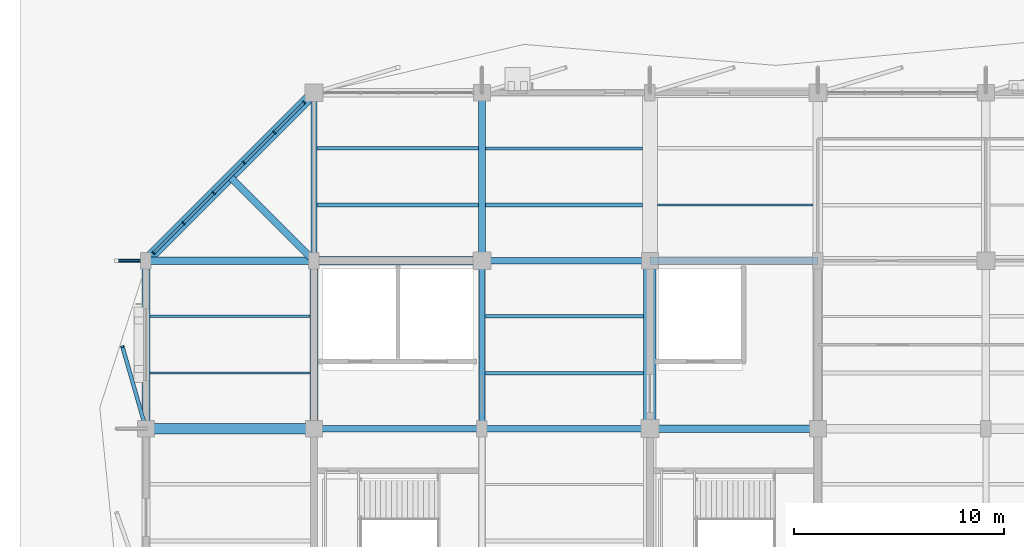
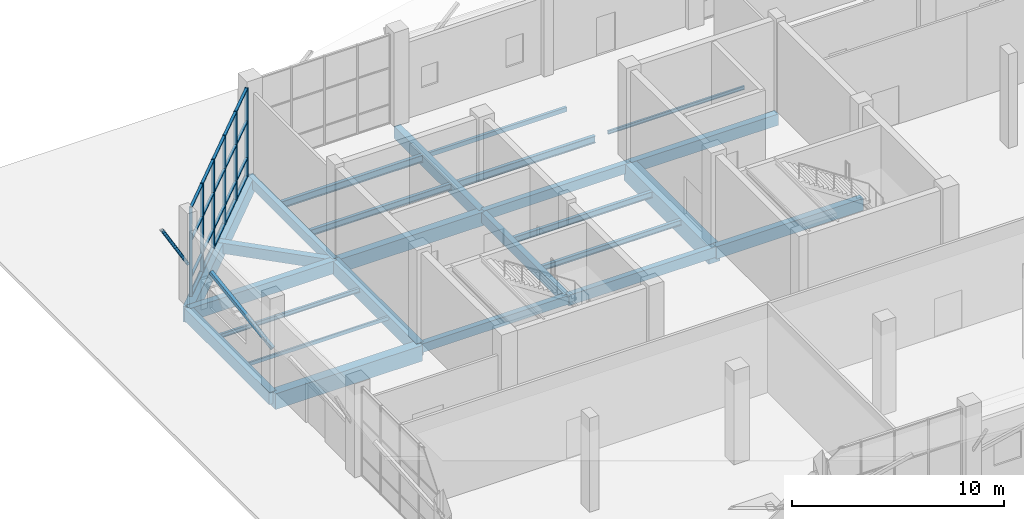
# One storey, part 39 of 123: 28 members, 25 beams, 1 element without a shape of its own.
"""IFC4 building model written with IfcOpenShell, lengths in metres."""

from ifc_helpers import new_model, si_unit, direction, frame, origin, origin_2d, place, context, subcontext, project, spatial, rectangle, hollow_rectangle, hollow_circle, i_section, extrude, material, material_profile, profile_set, type_object, element, aggregate, save


model = new_model("IFC4")

# Units and contexts
model_context = context("Model", 3, precision=1e-05, world=origin(), true_north=direction((0.0, 1.0)))
body_context = subcontext(model_context, "Body", "Model", "MODEL_VIEW")
ifc_project = project(units=[si_unit("LENGTHUNIT", "METRE"), si_unit("AREAUNIT", "SQUARE_METRE"), si_unit("VOLUMEUNIT", "CUBIC_METRE"), si_unit("PLANEANGLEUNIT", "RADIAN"), si_unit("MASSUNIT", "GRAM", prefix="KILO")], contexts=[model_context])

# Site, building, storey
site_placement = place(None, origin())
site = spatial("IfcSite", under=ifc_project, at=site_placement, CompositionType="ELEMENT")
building_placement = place(site_placement, origin())
building = spatial("IfcBuilding", under=site, at=building_placement, Name="Tenunan Teduh Sports Hall", CompositionType="ELEMENT")
storey_placement = place(building_placement, origin())
storey = spatial("IfcBuildingStorey", under=building, at=storey_placement, Name="L00", CompositionType="ELEMENT", Elevation=0.0)

# Beams
ifc_material_1 = material(Name="Concrete C40/50", Category="concrete")
ifc_material_profile_1 = material_profile(ifc_material_1, rectangle(XDim=0.300048828125, YDim=0.5, at=origin_2d()), Name="RCB 300x500")
ifc_profile_set_1 = profile_set([ifc_material_profile_1], Name="Concrete C40/50")
beam_type_1 = type_object("IfcBeamType", Name="BM-RC-300x500", PredefinedType="BEAM", material=ifc_profile_set_1)
beam_1_placement = place(storey_placement, frame((14.0, 102.0, -0.530029296875), z_axis=(1.0, 0.0, 0.0), x_axis=(0.0, 1.0, 0.0)))
element("IfcBeam", 1, at=beam_1_placement, inside=storey, type_object=beam_type_1, Name="BM-B-01-L00-0717", PredefinedType="BEAM", context=body_context, shape_type="SweptSolid", body=[
    extrude(rectangle(XDim=0.300048828125, YDim=0.5, at=origin_2d()), origin(), (0.0, 0.0, 1.0), 8.0),
])
ifc_material_2 = material(Name="Concrete C40/50", Category="concrete")
ifc_material_profile_2 = material_profile(ifc_material_2, rectangle(XDim=0.300048828125, YDim=0.550048828125, at=origin_2d()), Name="RCB 300x550")
ifc_profile_set_2 = profile_set([ifc_material_profile_2], Name="Concrete C40/50")
beam_type_2 = type_object("IfcBeamType", Name="BM-RC-300x550", PredefinedType="BEAM", material=ifc_profile_set_2)
for number, where, z_axis, x_axis, name in (
    (2, (22.0, 110.0, -0.554931640625), (1.0, 0.0, 0.0), (0.0, 1.0, 0.0), "BM-B-02-L00-0735"),
    (3, (14.0, 110.0, -0.554931640625), (0.0, 1.0, 0.0), (-1.0, 0.0, 0.0), "BM-B-02-L00-0776"),
):
    element("IfcBeam", number, at=place(storey_placement, frame(where, z_axis=z_axis, x_axis=x_axis)), inside=storey, type_object=beam_type_2, Name=name, PredefinedType="BEAM", context=body_context, shape_type="SweptSolid", body=[
        extrude(rectangle(XDim=0.300048828125, YDim=0.550048828125, at=origin_2d()), origin(), (0.0, 0.0, 1.0), 8.0),
    ])
ifc_material_3 = material(Name="Concrete C40/50", Category="concrete")
ifc_material_profile_3 = material_profile(ifc_material_3, rectangle(XDim=0.300048828125, YDim=0.60009765625, at=origin_2d()), Name="RCB 300x600")
ifc_profile_set_3 = profile_set([ifc_material_profile_3], Name="Concrete C40/50")
beam_type_3 = type_object("IfcBeamType", Name="BM-RC-300x600", PredefinedType="BEAM", material=ifc_profile_set_3)
for number, where, z_axis, x_axis, name in (
    (4, (22.0, 102.0, -0.580078125), (1.0, 0.0, 0.0), (0.0, 1.0, 0.0), "BM-B-03-L00-0718"),
    (5, (22.0, 102.0, -0.580078125), (0.0, 1.0, 0.0), (-1.0, 0.0, 0.0), "BM-B-03-L00-0781"),
):
    element("IfcBeam", number, at=place(storey_placement, frame(where, z_axis=z_axis, x_axis=x_axis)), inside=storey, type_object=beam_type_3, Name=name, PredefinedType="BEAM", context=body_context, shape_type="SweptSolid", body=[
        extrude(rectangle(XDim=0.300048828125, YDim=0.60009765625, at=origin_2d()), origin(), (0.0, 0.0, 1.0), 8.0),
    ])
ifc_material_4 = material(Name="Concrete C40/50", Category="concrete")
ifc_material_profile_4 = material_profile(ifc_material_4, rectangle(XDim=0.35009765625, YDim=0.60009765625, at=origin_2d()), Name="RCB 350x600")
ifc_profile_set_4 = profile_set([ifc_material_profile_4], Name="Concrete C40/50")
beam_type_4 = type_object("IfcBeamType", Name="BM-RC-350x600", PredefinedType="BEAM", material=ifc_profile_set_4)
beam_2_placement = place(storey_placement, frame((14.0, 110.0, -0.580078125), z_axis=(-0.707106781187, 0.707106781187, 0.0), x_axis=(-0.707106781187, -0.707106781187, 0.0)))
element("IfcBeam", 6, at=beam_2_placement, inside=storey, type_object=beam_type_4, Name="BM-B-04-L00-2222", PredefinedType="BEAM", context=body_context, shape_type="SweptSolid", body=[
    extrude(rectangle(XDim=0.35009765625, YDim=0.60009765625, at=origin_2d()), origin(), (0.0, 0.0, 1.0), 5.65673828125),
])
ifc_material_5 = material(Name="Concrete C40/50", Category="concrete")
ifc_material_profile_5 = material_profile(ifc_material_5, rectangle(XDim=0.35009765625, YDim=0.64990234375, at=origin_2d()), Name="RCB 350x650")
ifc_profile_set_5 = profile_set([ifc_material_profile_5], Name="Concrete C40/50")
beam_type_5 = type_object("IfcBeamType", Name="BM-RC-350x650", PredefinedType="BEAM", material=ifc_profile_set_5)
beam_3_placement = place(storey_placement, frame((30.0, 110.0, -0.60498046875), z_axis=(1.0, 0.0, 0.0), x_axis=(0.0, 1.0, 0.0)))
element("IfcBeam", 7, at=beam_3_placement, inside=storey, type_object=beam_type_5, Name="BM-B-05-L00-0736", PredefinedType="BEAM", context=body_context, shape_type="SweptSolid", body=[
    extrude(rectangle(XDim=0.35009765625, YDim=0.64990234375, at=origin_2d()), origin(), (0.0, 0.0, 1.0), 8.0),
])
ifc_material_6 = material(Name="Concrete C40/50", Category="concrete")
ifc_material_profile_6 = material_profile(ifc_material_6, rectangle(XDim=0.35009765625, YDim=0.699951171875, at=origin_2d()), Name="RCB 350x700")
ifc_profile_set_6 = profile_set([ifc_material_profile_6], Name="Concrete C40/50")
beam_type_6 = type_object("IfcBeamType", Name="BM-RC-350x700", PredefinedType="BEAM", material=ifc_profile_set_6)
for number, where, z_axis, x_axis, name in (
    (8, (30.0, 102.0, -0.6298828125), (1.0, 0.0, 0.0), (0.0, 1.0, 0.0), "BM-B-06-L00-0719"),
    (9, (22.0, 110.0, -0.6298828125), (0.0, 1.0, 0.0), (-1.0, 0.0, 0.0), "BM-B-06-L00-0782"),
):
    element("IfcBeam", number, at=place(storey_placement, frame(where, z_axis=z_axis, x_axis=x_axis)), inside=storey, type_object=beam_type_6, Name=name, PredefinedType="BEAM", context=body_context, shape_type="SweptSolid", body=[
        extrude(rectangle(XDim=0.35009765625, YDim=0.699951171875, at=origin_2d()), origin(), (0.0, 0.0, 1.0), 8.0),
    ])
ifc_material_7 = material(Name="Concrete C40/50", Category="concrete")
ifc_material_profile_7 = material_profile(ifc_material_7, rectangle(XDim=0.39990234375, YDim=0.699951171875, at=origin_2d()), Name="RCB 400x700")
ifc_profile_set_7 = profile_set([ifc_material_profile_7], Name="Concrete C40/50")
beam_type_7 = type_object("IfcBeamType", Name="BM-RC-400x700", PredefinedType="BEAM", material=ifc_profile_set_7)
beam_4_placement = place(storey_placement, frame((6.0, 102.0, -0.6298828125), z_axis=(0.0, 1.0, 0.0), x_axis=(-1.0, 0.0, 0.0)))
element("IfcBeam", 10, at=beam_4_placement, inside=storey, type_object=beam_type_7, Name="BM-B-08-L00-0770", PredefinedType="BEAM", context=body_context, shape_type="SweptSolid", body=[
    extrude(rectangle(XDim=0.39990234375, YDim=0.699951171875, at=origin_2d()), origin(), (0.0, 0.0, 1.0), 8.0),
])
ifc_material_8 = material(Name="Concrete C40/50", Category="concrete")
ifc_material_profile_8 = material_profile(ifc_material_8, rectangle(XDim=0.5, YDim=0.89990234375, at=origin_2d()), Name="RCB 500x900")
ifc_profile_set_8 = profile_set([ifc_material_profile_8], Name="Concrete C40/50")
beam_type_8 = type_object("IfcBeamType", Name="BM-RC-500x900", PredefinedType="BEAM", material=ifc_profile_set_8)
beam_5_placement = place(storey_placement, frame((6.0, 110.0, -0.72998046875), z_axis=(0.707106781187, 0.707106781187, 0.0), x_axis=(-0.707106781187, 0.707106781187, 0.0)))
element("IfcBeam", 11, at=beam_5_placement, inside=storey, type_object=beam_type_8, Name="BM-B-15-L00-0587", PredefinedType="BEAM", context=body_context, shape_type="SweptSolid", body=[
    extrude(rectangle(XDim=0.5, YDim=0.89990234375, at=origin_2d()), origin(), (0.0, 0.0, 1.0), 11.313720703125),
])
beam_6_placement = place(storey_placement, frame((6.0, 102.0, -0.72998046875), z_axis=(1.0, 0.0, 0.0), x_axis=(0.0, 1.0, 0.0)))
element("IfcBeam", 12, at=beam_6_placement, inside=storey, type_object=beam_type_8, Name="BM-B-15-L00-0716", PredefinedType="BEAM", context=body_context, shape_type="SweptSolid", body=[
    extrude(rectangle(XDim=0.5, YDim=0.89990234375, at=origin_2d()), origin(), (0.0, 0.0, 1.0), 8.0),
])
ifc_material_9 = material(Name="Concrete C40/50", Category="concrete")
ifc_material_profile_9 = material_profile(ifc_material_9, rectangle(XDim=0.60009765625, YDim=1.0, at=origin_2d()), Name="RCB 600x1000")
ifc_profile_set_9 = profile_set([ifc_material_profile_9], Name="Concrete C40/50")
beam_type_9 = type_object("IfcBeamType", Name="BM-RC-600x1000", PredefinedType="BEAM", material=ifc_profile_set_9)
beam_7_placement = place(storey_placement, frame((30.0, 102.0, -0.780029296875), z_axis=(0.0, 1.0, 0.0), x_axis=(-1.0, 0.0, 0.0)))
element("IfcBeam", 13, at=beam_7_placement, inside=storey, type_object=beam_type_9, Name="BM-B-18-L00-0787", PredefinedType="BEAM", context=body_context, shape_type="SweptSolid", body=[
    extrude(rectangle(XDim=0.60009765625, YDim=1.0, at=origin_2d()), origin(), (0.0, 0.0, 1.0), 8.0),
])
ifc_material_10 = material(Name="Concrete C40/50", Category="concrete")
ifc_material_profile_10 = material_profile(ifc_material_10, rectangle(XDim=0.35009765625, YDim=0.719970703125, at=origin_2d()), Name="TB 350x720")
ifc_profile_set_10 = profile_set([ifc_material_profile_10], Name="Concrete C40/50")
beam_type_10 = type_object("IfcBeamType", Name="BM-TB-350x720", PredefinedType="T_BEAM", material=ifc_profile_set_10)
beam_8_placement = place(storey_placement, frame((6.0, 110.0, -0.639892578125), z_axis=(1.0, 0.0, 0.0), x_axis=(0.0, 1.0, 0.0)))
element("IfcBeam", 14, at=beam_8_placement, inside=storey, type_object=beam_type_10, Name="BM-TB-01-L00-0733", PredefinedType="T_BEAM", context=body_context, shape_type="SweptSolid", body=[
    extrude(rectangle(XDim=0.35009765625, YDim=0.719970703125, at=origin_2d()), origin(), (0.0, 0.0, 1.0), 8.0),
])
ifc_material_11 = material(Name="Concrete C40/50", Category="concrete")
ifc_material_profile_11 = material_profile(ifc_material_11, rectangle(XDim=0.39990234375, YDim=0.780029296875, at=origin_2d()), Name="TB 400x780")
ifc_profile_set_11 = profile_set([ifc_material_profile_11], Name="Concrete C40/50")
beam_type_11 = type_object("IfcBeamType", Name="BM-TB-400x780", PredefinedType="T_BEAM", material=ifc_profile_set_11)
for number, where, z_axis, x_axis, name in (
    (15, (14.0, 110.0, -0.669921875), (1.0, 0.0, 0.0), (0.0, 1.0, 0.0), "BM-TB-02-L00-0734"),
    (16, (14.0, 102.0, -0.669921875), (0.0, 1.0, 0.0), (-1.0, 0.0, 0.0), "BM-TB-02-L00-0775"),
):
    element("IfcBeam", number, at=place(storey_placement, frame(where, z_axis=z_axis, x_axis=x_axis)), inside=storey, type_object=beam_type_11, Name=name, PredefinedType="T_BEAM", context=body_context, shape_type="SweptSolid", body=[
        extrude(rectangle(XDim=0.39990234375, YDim=0.780029296875, at=origin_2d()), origin(), (0.0, 0.0, 1.0), 8.0),
    ])

# Curtain wall, members
ifc_material_12 = material(Name="Anodised aluminium", Category="aluminium")
curtain_wall_type = type_object("IfcCurtainWallType", Name="CW-UNIT-1", PredefinedType="NOTDEFINED", material=ifc_material_12)
curtain_wall_placement = place(storey_placement, origin())
curtain_wall = element("IfcCurtainWall", 17, at=curtain_wall_placement, inside=storey, type_object=curtain_wall_type, Name="CW-CWM-175-L00-198", PredefinedType="NOTDEFINED")
ifc_material_13 = material(Name="Anodised aluminium", Category="aluminium")
ifc_material_profile_12 = material_profile(ifc_material_13, rectangle(XDim=0.06494140625, YDim=0.175048828125, at=origin_2d()), Name="CWM 65x175")
ifc_profile_set_12 = profile_set([ifc_material_profile_12], Name="Anodised aluminium")
member_type_1 = type_object("IfcMemberType", Name="CWM-175", PredefinedType="MULLION", material=ifc_profile_set_12)
member_1_placement = place(storey_placement, frame((6.3642578125, 110.3642578125, 0.0), z_axis=(0.0, 0.0, 1.0), x_axis=(0.707116654191, 0.707096908044, 0.0)))
member_1 = element("IfcMember", 18, at=member_1_placement, type_object=member_type_1, Name="CW-01 mullion 1", PredefinedType="MULLION", context=body_context, shape_type="SweptSolid", body=[
    extrude(rectangle(XDim=0.06494140625, YDim=0.175048828125, at=origin_2d()), origin(), (0.0, 0.0, 1.0), 5.1201171875),
])
member_2_placement = place(storey_placement, frame((7.78369140625, 111.78369140625, 0.0), z_axis=(0.0, 0.0, 1.0), x_axis=(0.707116654191, 0.707096908044, 0.0)))
member_2 = element("IfcMember", 19, at=member_2_placement, type_object=member_type_1, Name="CW-01 mullion 2", PredefinedType="MULLION", context=body_context, shape_type="SweptSolid", body=[
    extrude(rectangle(XDim=0.06494140625, YDim=0.175048828125, at=origin_2d()), origin(), (0.0, 0.0, 1.0), 5.1201171875),
])
member_3_placement = place(storey_placement, frame((9.226318359375, 113.226318359375, 0.0), z_axis=(0.0, 0.0, 1.0), x_axis=(0.707116654191, 0.707096908044, 0.0)))
member_3 = element("IfcMember", 20, at=member_3_placement, type_object=member_type_1, Name="CW-01 mullion 3", PredefinedType="MULLION", context=body_context, shape_type="SweptSolid", body=[
    extrude(rectangle(XDim=0.06494140625, YDim=0.175048828125, at=origin_2d()), origin(), (0.0, 0.0, 1.0), 5.1201171875),
])
member_4_placement = place(storey_placement, frame((10.668701171875, 114.668701171875, 0.0), z_axis=(0.0, 0.0, 1.0), x_axis=(0.707116654191, 0.707096908044, 0.0)))
member_4 = element("IfcMember", 21, at=member_4_placement, type_object=member_type_1, Name="CW-01 mullion 4", PredefinedType="MULLION", context=body_context, shape_type="SweptSolid", body=[
    extrude(rectangle(XDim=0.06494140625, YDim=0.175048828125, at=origin_2d()), origin(), (0.0, 0.0, 1.0), 5.1201171875),
])
member_5_placement = place(storey_placement, frame((12.111328125, 116.111328125, 0.0), z_axis=(0.0, 0.0, 1.0), x_axis=(0.707116654191, 0.707096908044, 0.0)))
member_5 = element("IfcMember", 22, at=member_5_placement, type_object=member_type_1, Name="CW-01 mullion 5", PredefinedType="MULLION", context=body_context, shape_type="SweptSolid", body=[
    extrude(rectangle(XDim=0.06494140625, YDim=0.175048828125, at=origin_2d()), origin(), (0.0, 0.0, 1.0), 5.1201171875),
])
member_6_placement = place(storey_placement, frame((13.53076171875, 117.53076171875, 0.0), z_axis=(0.0, 0.0, 1.0), x_axis=(0.707116654191, 0.707096908044, 0.0)))
member_6 = element("IfcMember", 23, at=member_6_placement, type_object=member_type_1, Name="CW-01 mullion 6", PredefinedType="MULLION", context=body_context, shape_type="SweptSolid", body=[
    extrude(rectangle(XDim=0.06494140625, YDim=0.175048828125, at=origin_2d()), origin(), (0.0, 0.0, 1.0), 5.1201171875),
])
ifc_material_14 = material(Name="Anodised aluminium", Category="aluminium")
ifc_material_profile_13 = material_profile(ifc_material_14, rectangle(XDim=0.06494140625, YDim=0.139892578125, at=origin_2d()), Name="CWT 65x140")
ifc_profile_set_13 = profile_set([ifc_material_profile_13], Name="Anodised aluminium")
member_type_2 = type_object("IfcMemberType", Name="CWT-150", PredefinedType="USERDEFINED", material=ifc_profile_set_13)
member_7_placement = place(storey_placement, frame((6.38720703125, 110.38720703125, 0.032470703125), z_axis=(0.707106781187, 0.707106781187, 0.0), x_axis=(0.0, 0.0, 1.0)))
member_7 = element("IfcMember", 24, at=member_7_placement, type_object=member_type_2, Name="CW-01 transom 1.1", ObjectType="TRANSOM", PredefinedType="USERDEFINED", context=body_context, shape_type="SweptSolid", body=[
    extrude(rectangle(XDim=0.06494140625, YDim=0.139892578125, at=origin_2d()), origin(), (0.0, 0.0, 1.0), 1.9423828125),
])
member_8_placement = place(storey_placement, frame((6.38720703125, 110.38720703125, 1.10009765625), z_axis=(0.707106781187, 0.707106781187, 0.0), x_axis=(0.0, 0.0, 1.0)))
member_8 = element("IfcMember", 25, at=member_8_placement, type_object=member_type_2, Name="CW-01 transom 1.2", ObjectType="TRANSOM", PredefinedType="USERDEFINED", context=body_context, shape_type="SweptSolid", body=[
    extrude(rectangle(XDim=0.06494140625, YDim=0.139892578125, at=origin_2d()), origin(), (0.0, 0.0, 1.0), 1.9423828125),
])
member_9_placement = place(storey_placement, frame((6.38720703125, 110.38720703125, 3.199951171875), z_axis=(0.707106781187, 0.707106781187, 0.0), x_axis=(0.0, 0.0, 1.0)))
member_9 = element("IfcMember", 26, at=member_9_placement, type_object=member_type_2, Name="CW-01 transom 1.3", ObjectType="TRANSOM", PredefinedType="USERDEFINED", context=body_context, shape_type="SweptSolid", body=[
    extrude(rectangle(XDim=0.06494140625, YDim=0.139892578125, at=origin_2d()), origin(), (0.0, 0.0, 1.0), 1.9423828125),
])
member_10_placement = place(storey_placement, frame((6.38720703125, 110.38720703125, 5.08740234375), z_axis=(0.707106781187, 0.707106781187, 0.0), x_axis=(0.0, 0.0, 1.0)))
member_10 = element("IfcMember", 27, at=member_10_placement, type_object=member_type_2, Name="CW-01 transom 1.4", ObjectType="TRANSOM", PredefinedType="USERDEFINED", context=body_context, shape_type="SweptSolid", body=[
    extrude(rectangle(XDim=0.06494140625, YDim=0.139892578125, at=origin_2d()), origin(), (0.0, 0.0, 1.0), 1.9423828125),
])
member_11_placement = place(storey_placement, frame((7.806640625, 111.806640625, 0.032470703125), z_axis=(0.707106781187, 0.707106781187, 0.0), x_axis=(0.0, 0.0, 1.0)))
member_11 = element("IfcMember", 28, at=member_11_placement, type_object=member_type_2, Name="CW-01 transom 2.1", ObjectType="TRANSOM", PredefinedType="USERDEFINED", context=body_context, shape_type="SweptSolid", body=[
    extrude(rectangle(XDim=0.06494140625, YDim=0.139892578125, at=origin_2d()), origin(), (0.0, 0.0, 1.0), 1.975341796875),
])
member_12_placement = place(storey_placement, frame((7.806640625, 111.806640625, 1.10009765625), z_axis=(0.707106781187, 0.707106781187, 0.0), x_axis=(0.0, 0.0, 1.0)))
member_12 = element("IfcMember", 29, at=member_12_placement, type_object=member_type_2, Name="CW-01 transom 2.2", ObjectType="TRANSOM", PredefinedType="USERDEFINED", context=body_context, shape_type="SweptSolid", body=[
    extrude(rectangle(XDim=0.06494140625, YDim=0.139892578125, at=origin_2d()), origin(), (0.0, 0.0, 1.0), 1.975341796875),
])
member_13_placement = place(storey_placement, frame((7.806640625, 111.806640625, 3.199951171875), z_axis=(0.707106781187, 0.707106781187, 0.0), x_axis=(0.0, 0.0, 1.0)))
member_13 = element("IfcMember", 30, at=member_13_placement, type_object=member_type_2, Name="CW-01 transom 2.3", ObjectType="TRANSOM", PredefinedType="USERDEFINED", context=body_context, shape_type="SweptSolid", body=[
    extrude(rectangle(XDim=0.06494140625, YDim=0.139892578125, at=origin_2d()), origin(), (0.0, 0.0, 1.0), 1.975341796875),
])
member_14_placement = place(storey_placement, frame((7.806640625, 111.806640625, 5.08740234375), z_axis=(0.707106781187, 0.707106781187, 0.0), x_axis=(0.0, 0.0, 1.0)))
member_14 = element("IfcMember", 31, at=member_14_placement, type_object=member_type_2, Name="CW-01 transom 2.4", ObjectType="TRANSOM", PredefinedType="USERDEFINED", context=body_context, shape_type="SweptSolid", body=[
    extrude(rectangle(XDim=0.06494140625, YDim=0.139892578125, at=origin_2d()), origin(), (0.0, 0.0, 1.0), 1.975341796875),
])
member_15_placement = place(storey_placement, frame((9.249267578125, 113.249267578125, 0.032470703125), z_axis=(0.707106781187, 0.707106781187, 0.0), x_axis=(0.0, 0.0, 1.0)))
member_15 = element("IfcMember", 32, at=member_15_placement, type_object=member_type_2, Name="CW-01 transom 3.1", ObjectType="TRANSOM", PredefinedType="USERDEFINED", context=body_context, shape_type="SweptSolid", body=[
    extrude(rectangle(XDim=0.06494140625, YDim=0.139892578125, at=origin_2d()), origin(), (0.0, 0.0, 1.0), 1.974853515625),
])
member_16_placement = place(storey_placement, frame((9.249267578125, 113.249267578125, 1.10009765625), z_axis=(0.707106781187, 0.707106781187, 0.0), x_axis=(0.0, 0.0, 1.0)))
member_16 = element("IfcMember", 33, at=member_16_placement, type_object=member_type_2, Name="CW-01 transom 3.2", ObjectType="TRANSOM", PredefinedType="USERDEFINED", context=body_context, shape_type="SweptSolid", body=[
    extrude(rectangle(XDim=0.06494140625, YDim=0.139892578125, at=origin_2d()), origin(), (0.0, 0.0, 1.0), 1.974853515625),
])
member_17_placement = place(storey_placement, frame((9.249267578125, 113.249267578125, 3.199951171875), z_axis=(0.707106781187, 0.707106781187, 0.0), x_axis=(0.0, 0.0, 1.0)))
member_17 = element("IfcMember", 34, at=member_17_placement, type_object=member_type_2, Name="CW-01 transom 3.3", ObjectType="TRANSOM", PredefinedType="USERDEFINED", context=body_context, shape_type="SweptSolid", body=[
    extrude(rectangle(XDim=0.06494140625, YDim=0.139892578125, at=origin_2d()), origin(), (0.0, 0.0, 1.0), 1.974853515625),
])
member_18_placement = place(storey_placement, frame((9.249267578125, 113.249267578125, 5.08740234375), z_axis=(0.707106781187, 0.707106781187, 0.0), x_axis=(0.0, 0.0, 1.0)))
member_18 = element("IfcMember", 35, at=member_18_placement, type_object=member_type_2, Name="CW-01 transom 3.4", ObjectType="TRANSOM", PredefinedType="USERDEFINED", context=body_context, shape_type="SweptSolid", body=[
    extrude(rectangle(XDim=0.06494140625, YDim=0.139892578125, at=origin_2d()), origin(), (0.0, 0.0, 1.0), 1.974853515625),
])
member_19_placement = place(storey_placement, frame((10.691650390625, 114.691650390625, 0.032470703125), z_axis=(0.707168583116, 0.707044973855, 0.0), x_axis=(0.0, 0.0, 1.0)))
member_19 = element("IfcMember", 36, at=member_19_placement, type_object=member_type_2, Name="CW-01 transom 4.1", ObjectType="TRANSOM", PredefinedType="USERDEFINED", context=body_context, shape_type="SweptSolid", body=[
    extrude(rectangle(XDim=0.06494140625, YDim=0.139892578125, at=origin_2d()), origin(), (0.0, 0.0, 1.0), 1.97509765625),
])
member_20_placement = place(storey_placement, frame((10.691650390625, 114.691650390625, 1.10009765625), z_axis=(0.707168583116, 0.707044973855, 0.0), x_axis=(0.0, 0.0, 1.0)))
member_20 = element("IfcMember", 37, at=member_20_placement, type_object=member_type_2, Name="CW-01 transom 4.2", ObjectType="TRANSOM", PredefinedType="USERDEFINED", context=body_context, shape_type="SweptSolid", body=[
    extrude(rectangle(XDim=0.06494140625, YDim=0.139892578125, at=origin_2d()), origin(), (0.0, 0.0, 1.0), 1.97509765625),
])
member_21_placement = place(storey_placement, frame((10.691650390625, 114.691650390625, 3.199951171875), z_axis=(0.707168583116, 0.707044973855, 0.0), x_axis=(0.0, 0.0, 1.0)))
member_21 = element("IfcMember", 38, at=member_21_placement, type_object=member_type_2, Name="CW-01 transom 4.3", ObjectType="TRANSOM", PredefinedType="USERDEFINED", context=body_context, shape_type="SweptSolid", body=[
    extrude(rectangle(XDim=0.06494140625, YDim=0.139892578125, at=origin_2d()), origin(), (0.0, 0.0, 1.0), 1.97509765625),
])
member_22_placement = place(storey_placement, frame((10.691650390625, 114.691650390625, 5.08740234375), z_axis=(0.707168583116, 0.707044973855, 0.0), x_axis=(0.0, 0.0, 1.0)))
member_22 = element("IfcMember", 39, at=member_22_placement, type_object=member_type_2, Name="CW-01 transom 4.4", ObjectType="TRANSOM", PredefinedType="USERDEFINED", context=body_context, shape_type="SweptSolid", body=[
    extrude(rectangle(XDim=0.06494140625, YDim=0.139892578125, at=origin_2d()), origin(), (0.0, 0.0, 1.0), 1.97509765625),
])
member_23_placement = place(storey_placement, frame((12.13427734375, 116.13427734375, 0.032470703125), z_axis=(0.707106781187, 0.707106781187, 0.0), x_axis=(0.0, 0.0, 1.0)))
member_23 = element("IfcMember", 40, at=member_23_placement, type_object=member_type_2, Name="CW-01 transom 5.1", ObjectType="TRANSOM", PredefinedType="USERDEFINED", context=body_context, shape_type="SweptSolid", body=[
    extrude(rectangle(XDim=0.06494140625, YDim=0.139892578125, at=origin_2d()), origin(), (0.0, 0.0, 1.0), 1.9423828125),
])
member_24_placement = place(storey_placement, frame((12.13427734375, 116.13427734375, 1.10009765625), z_axis=(0.707106781187, 0.707106781187, 0.0), x_axis=(0.0, 0.0, 1.0)))
member_24 = element("IfcMember", 41, at=member_24_placement, type_object=member_type_2, Name="CW-01 transom 5.2", ObjectType="TRANSOM", PredefinedType="USERDEFINED", context=body_context, shape_type="SweptSolid", body=[
    extrude(rectangle(XDim=0.06494140625, YDim=0.139892578125, at=origin_2d()), origin(), (0.0, 0.0, 1.0), 1.9423828125),
])
member_25_placement = place(storey_placement, frame((12.13427734375, 116.13427734375, 3.199951171875), z_axis=(0.707106781187, 0.707106781187, 0.0), x_axis=(0.0, 0.0, 1.0)))
member_25 = element("IfcMember", 42, at=member_25_placement, type_object=member_type_2, Name="CW-01 transom 5.3", ObjectType="TRANSOM", PredefinedType="USERDEFINED", context=body_context, shape_type="SweptSolid", body=[
    extrude(rectangle(XDim=0.06494140625, YDim=0.139892578125, at=origin_2d()), origin(), (0.0, 0.0, 1.0), 1.9423828125),
])
member_26_placement = place(storey_placement, frame((12.13427734375, 116.13427734375, 5.08740234375), z_axis=(0.707106781187, 0.707106781187, 0.0), x_axis=(0.0, 0.0, 1.0)))
member_26 = element("IfcMember", 43, at=member_26_placement, type_object=member_type_2, Name="CW-01 transom 5.4", ObjectType="TRANSOM", PredefinedType="USERDEFINED", context=body_context, shape_type="SweptSolid", body=[
    extrude(rectangle(XDim=0.06494140625, YDim=0.139892578125, at=origin_2d()), origin(), (0.0, 0.0, 1.0), 1.9423828125),
])
aggregate(curtain_wall, [member_1, member_2, member_3, member_4, member_5, member_6, member_7, member_8, member_9, member_10, member_11, member_12, member_13, member_14, member_15, member_16, member_17, member_18, member_19, member_20, member_21, member_22, member_23, member_24, member_25, member_26])

# Beams
ifc_material_15 = material(Name="Steel S355", Category="steel")
ifc_material_profile_14 = material_profile(ifc_material_15, i_section(OverallWidth=0.10009765625, OverallDepth=0.199951171875, WebThickness=0.005615234375, FlangeThickness=0.008544921875, FilletRadius=0.011962890625, at=origin_2d()), Name="IPE 200")
ifc_profile_set_14 = profile_set([ifc_material_profile_14], Name="Steel S355")
beam_type_12 = type_object("IfcBeamType", Name="JST-IPE200", PredefinedType="JOIST", material=ifc_profile_set_14)
beam_9_placement = place(storey_placement, frame((30.35009765625, 112.64990234375, -0.3798828125), z_axis=(1.0, 0.0, 0.0), x_axis=(0.0, 1.0, 0.0)))
element("IfcBeam", 44, at=beam_9_placement, inside=storey, type_object=beam_type_12, Name="BM-J-01-L00-0930", PredefinedType="JOIST", context=body_context, shape_type="SweptSolid", body=[
    extrude(i_section(OverallWidth=0.10009765625, OverallDepth=0.199951171875, WebThickness=0.005615234375, FlangeThickness=0.008544921875, FilletRadius=0.011962890625, at=origin_2d()), origin(), (0.0, 0.0, 1.0), 7.4248046875),
])
ifc_material_16 = material(Name="Steel S355", Category="steel")
ifc_material_profile_15 = material_profile(ifc_material_16, i_section(OverallWidth=0.1201171875, OverallDepth=0.239990234375, WebThickness=0.006103515625, FlangeThickness=0.009765625, FilletRadius=0.014892578125, at=origin_2d()), Name="IPE 240")
ifc_profile_set_15 = profile_set([ifc_material_profile_15], Name="Steel S355")
beam_type_13 = type_object("IfcBeamType", Name="JST-IPE240", PredefinedType="JOIST", material=ifc_profile_set_15)
beam_10_placement = place(storey_placement, frame((6.199951171875, 107.35009765625, -0.39990234375), z_axis=(1.0, 0.0, 0.0), x_axis=(0.0, 1.0, 0.0)))
element("IfcBeam", 45, at=beam_10_placement, inside=storey, type_object=beam_type_13, Name="BM-J-02-L00-0903", PredefinedType="JOIST", context=body_context, shape_type="SweptSolid", body=[
    extrude(i_section(OverallWidth=0.1201171875, OverallDepth=0.239990234375, WebThickness=0.006103515625, FlangeThickness=0.009765625, FilletRadius=0.014892578125, at=origin_2d()), origin(), (0.0, 0.0, 1.0), 7.60009765625),
])

# Members
ifc_material_17 = material(Name="Steel S355", Category="steel")
ifc_material_profile_16 = material_profile(ifc_material_17, hollow_circle(Radius=0.084228515625, WallThickness=0.008056640625, at=origin_2d()), Name="CHS 168.3x8.0")
ifc_profile_set_16 = profile_set([ifc_material_profile_16], Name="Steel S355")
member_type_3 = type_object("IfcMemberType", Name="MEM-BR-CHS168", PredefinedType="BRACE", material=ifc_profile_set_16)
member_27_placement = place(storey_placement, frame((6.0, 110.0, 2.199951171875), z_axis=(-0.500702345696, 0.0, 0.865619524395), x_axis=(0.0, -1.0, 0.0)))
element("IfcMember", 46, at=member_27_placement, inside=storey, type_object=member_type_3, Name="MEM-GD-04-L00-1139", PredefinedType="BRACE", context=body_context, shape_type="SweptSolid", body=[
    extrude(hollow_circle(Radius=0.084228515625, WallThickness=0.008056640625, at=origin_2d()), origin(), (0.0, 0.0, 1.0), 2.7958984375),
])
ifc_material_18 = material(Name="Steel S355", Category="steel")
ifc_material_profile_17 = material_profile(ifc_material_18, hollow_rectangle(XDim=0.179931640625, YDim=0.179931640625, WallThickness=0.010009765625, at=origin_2d()), Name="SHS 180x180x10.0")
ifc_profile_set_17 = profile_set([ifc_material_profile_17], Name="Steel S355")
member_type_4 = type_object("IfcMemberType", Name="MEM-ST-SHS180", PredefinedType="STRUT", material=ifc_profile_set_17)
member_28_placement = place(storey_placement, frame((6.0, 102.0, 2.199951171875), z_axis=(-0.237012586708, 0.826062366949, 0.511317904687), x_axis=(-0.961217590698, -0.275791122651, 0.0)))
element("IfcMember", 47, at=member_28_placement, inside=storey, type_object=member_type_4, Name="MEM-VS-03-L00-1138", PredefinedType="STRUT", context=body_context, shape_type="SweptSolid", body=[
    extrude(hollow_rectangle(XDim=0.179931640625, YDim=0.179931640625, WallThickness=0.010009765625, at=origin_2d()), origin(), (0.0, 0.0, 1.0), 4.733154296875),
])

# Beams
ifc_material_19 = material(Name="Steel S355", Category="steel")
ifc_material_profile_18 = material_profile(ifc_material_19, hollow_rectangle(XDim=0.10009765625, YDim=0.199951171875, WallThickness=0.008056640625, at=origin_2d()), Name="RHS 200x100x8.0")
ifc_profile_set_18 = profile_set([ifc_material_profile_18], Name="Steel S355")
beam_type_14 = type_object("IfcBeamType", Name="RBM-RHS200", PredefinedType="JOIST", material=ifc_profile_set_18)
beam_11_placement = place(storey_placement, frame((6.199951171875, 104.64990234375, -0.3798828125), z_axis=(1.0, 0.0, 0.0), x_axis=(0.0, 1.0, 0.0)))
element("IfcBeam", 48, at=beam_11_placement, inside=storey, type_object=beam_type_14, Name="Perimeter Ring Beam BM-RB-05-L00-0902", PredefinedType="JOIST", context=body_context, shape_type="SweptSolid", body=[
    extrude(hollow_rectangle(XDim=0.10009765625, YDim=0.199951171875, WallThickness=0.008056640625, at=origin_2d()), origin(), (0.0, 0.0, 1.0), 7.60009765625),
])
ifc_material_20 = material(Name="Steel S355", Category="steel")
ifc_material_profile_19 = material_profile(ifc_material_20, hollow_rectangle(XDim=0.14990234375, YDim=0.25, WallThickness=0.010009765625, at=origin_2d()), Name="RHS 250x150x10.0")
ifc_profile_set_19 = profile_set([ifc_material_profile_19], Name="Steel S355")
beam_type_15 = type_object("IfcBeamType", Name="RBM-RHS250", PredefinedType="BEAM", material=ifc_profile_set_19)
beam_12_placement = place(storey_placement, frame((22.175048828125, 115.35009765625, -0.405029296875), z_axis=(1.0, 0.0, 0.0), x_axis=(0.0, 1.0, 0.0)))
element("IfcBeam", 49, at=beam_12_placement, inside=storey, type_object=beam_type_15, Name="Perimeter Ring Beam BM-RB-04-L00-0923", PredefinedType="BEAM", context=body_context, shape_type="SweptSolid", body=[
    extrude(hollow_rectangle(XDim=0.14990234375, YDim=0.25, WallThickness=0.010009765625, at=origin_2d()), origin(), (0.0, 0.0, 1.0), 7.474853515625),
])
ifc_material_21 = material(Name="Steel S355", Category="steel")
ifc_material_profile_20 = material_profile(ifc_material_21, i_section(OverallWidth=0.1650390625, OverallDepth=0.303466796875, WebThickness=0.006103515625, FlangeThickness=0.01025390625, FilletRadius=0.0087890625, at=origin_2d()), Name="UKB 305x165x40")
ifc_profile_set_20 = profile_set([ifc_material_profile_20], Name="Steel S355")
beam_type_16 = type_object("IfcBeamType", Name="SBM-UKB305", PredefinedType="BEAM", material=ifc_profile_set_20)
beam_13_placement = place(storey_placement, frame((22.14990234375, 104.64990234375, -0.431640625), z_axis=(1.0, 0.0, 0.0), x_axis=(0.0, 1.0, 0.0)))
element("IfcBeam", 50, at=beam_13_placement, inside=storey, type_object=beam_type_16, Name="BM-SB-01-L00-0920", PredefinedType="BEAM", context=body_context, shape_type="SweptSolid", body=[
    extrude(i_section(OverallWidth=0.1650390625, OverallDepth=0.303466796875, WebThickness=0.006103515625, FlangeThickness=0.01025390625, FilletRadius=0.0087890625, at=origin_2d()), origin(), (0.0, 0.0, 1.0), 7.550048828125),
])
ifc_material_22 = material(Name="Steel S355", Category="steel")
ifc_material_profile_21 = material_profile(ifc_material_22, i_section(OverallWidth=0.17138671875, OverallDepth=0.35498046875, WebThickness=0.00732421875, FlangeThickness=0.011474609375, FilletRadius=0.01025390625, at=origin_2d()), Name="UKB 356x171x51")
ifc_profile_set_21 = profile_set([ifc_material_profile_21], Name="Steel S355")
beam_type_17 = type_object("IfcBeamType", Name="SBM-UKB356", PredefinedType="BEAM", material=ifc_profile_set_21)
beam_14_placement = place(storey_placement, frame((14.14990234375, 112.64990234375, -0.45751953125), z_axis=(1.0, 0.0, 0.0), x_axis=(0.0, 1.0, 0.0)))
element("IfcBeam", 51, at=beam_14_placement, inside=storey, type_object=beam_type_17, Name="BM-SB-02-L00-0910", PredefinedType="BEAM", context=body_context, shape_type="SweptSolid", body=[
    extrude(i_section(OverallWidth=0.17138671875, OverallDepth=0.35498046875, WebThickness=0.00732421875, FlangeThickness=0.011474609375, FilletRadius=0.01025390625, at=origin_2d()), origin(), (0.0, 0.0, 1.0), 7.675048828125),
])
beam_15_placement = place(storey_placement, frame((22.14990234375, 107.35009765625, -0.45751953125), z_axis=(1.0, 0.0, 0.0), x_axis=(0.0, 1.0, 0.0)))
element("IfcBeam", 52, at=beam_15_placement, inside=storey, type_object=beam_type_17, Name="BM-SB-02-L00-0921", PredefinedType="BEAM", context=body_context, shape_type="SweptSolid", body=[
    extrude(i_section(OverallWidth=0.17138671875, OverallDepth=0.35498046875, WebThickness=0.00732421875, FlangeThickness=0.011474609375, FilletRadius=0.01025390625, at=origin_2d()), origin(), (0.0, 0.0, 1.0), 7.550048828125),
])
ifc_material_23 = material(Name="Steel S355", Category="steel")
ifc_material_profile_22 = material_profile(ifc_material_23, i_section(OverallWidth=0.177978515625, OverallDepth=0.406494140625, WebThickness=0.0078125, FlangeThickness=0.0126953125, FilletRadius=0.01025390625, at=origin_2d()), Name="UKB 406x178x60")
ifc_profile_set_22 = profile_set([ifc_material_profile_22], Name="Steel S355")
beam_type_18 = type_object("IfcBeamType", Name="SBM-UKB406", PredefinedType="BEAM", material=ifc_profile_set_22)
beam_16_placement = place(storey_placement, frame((14.14990234375, 115.35009765625, -0.483154296875), z_axis=(1.0, 0.0, 0.0), x_axis=(0.0, 1.0, 0.0)))
element("IfcBeam", 53, at=beam_16_placement, inside=storey, type_object=beam_type_18, Name="BM-SB-03-L00-0911", PredefinedType="BEAM", context=body_context, shape_type="SweptSolid", body=[
    extrude(i_section(OverallWidth=0.177978515625, OverallDepth=0.406494140625, WebThickness=0.0078125, FlangeThickness=0.0126953125, FilletRadius=0.01025390625, at=origin_2d()), origin(), (0.0, 0.0, 1.0), 7.675048828125),
])
beam_17_placement = place(storey_placement, frame((22.175048828125, 112.64990234375, -0.483154296875), z_axis=(1.0, 0.0, 0.0), x_axis=(0.0, 1.0, 0.0)))
element("IfcBeam", 54, at=beam_17_placement, inside=storey, type_object=beam_type_18, Name="BM-SB-03-L00-0922", PredefinedType="BEAM", context=body_context, shape_type="SweptSolid", body=[
    extrude(i_section(OverallWidth=0.177978515625, OverallDepth=0.406494140625, WebThickness=0.0078125, FlangeThickness=0.0126953125, FilletRadius=0.01025390625, at=origin_2d()), origin(), (0.0, 0.0, 1.0), 7.474853515625),
])

save(model, "model.ifc")
